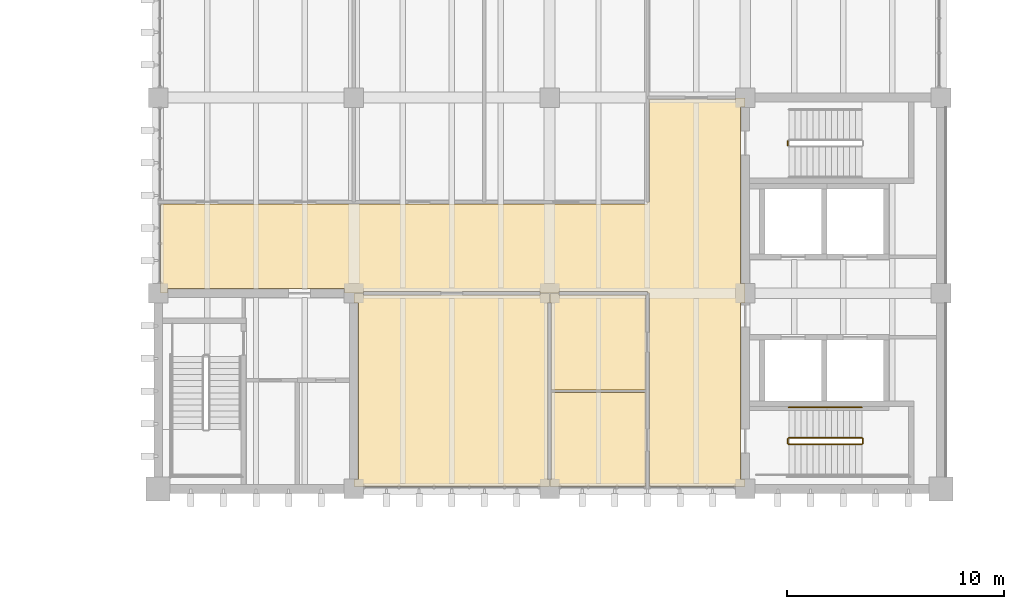
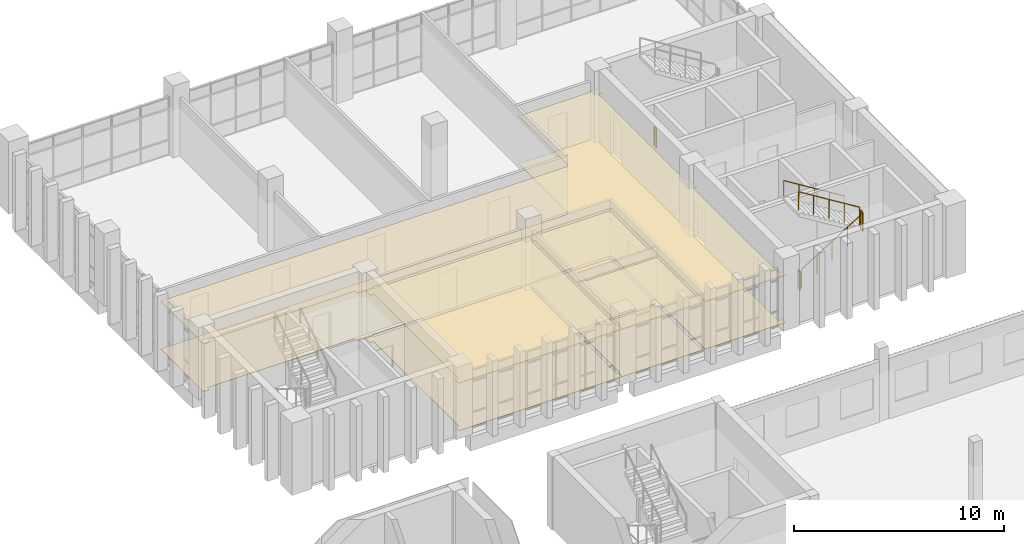
# One storey, part 89 of 92: 8 coverings, 6 railings.
"""IFC4 building model written with IfcOpenShell, lengths in metres."""

from ifc_helpers import new_model, si_unit, direction, frame, origin, origin_2d, place, context, subcontext, project, spatial, polyline, circle, outline, extrude, material, layer, layer_set, type_object, element, save


model = new_model("IFC4")

# Units and contexts
model_context = context("Model", 3, precision=1e-05, world=origin(), true_north=direction((0.0, 1.0)))
body_context = subcontext(model_context, "Body", "Model", "MODEL_VIEW")
ifc_project = project(units=[si_unit("LENGTHUNIT", "METRE"), si_unit("AREAUNIT", "SQUARE_METRE"), si_unit("VOLUMEUNIT", "CUBIC_METRE"), si_unit("PLANEANGLEUNIT", "RADIAN"), si_unit("MASSUNIT", "GRAM", prefix="KILO")], contexts=[model_context])

# Site, building, storey
site_placement = place(None, origin())
site = spatial("IfcSite", under=ifc_project, at=site_placement, CompositionType="ELEMENT")
building_placement = place(site_placement, origin())
building = spatial("IfcBuilding", under=site, at=building_placement, Name="Merrow Basin Faculty of Sciences", CompositionType="ELEMENT")
storey_placement = place(building_placement, frame((0.0, 0.0, 4.5)))
storey = spatial("IfcBuildingStorey", under=building, at=storey_placement, Name="L01", CompositionType="ELEMENT", Elevation=4.5)

# Coverings
ifc_material_1 = material(Name="Ceramic floor tile")
ifc_layer_1 = layer(ifc_material_1, 0.02001953125)
ifc_layer_set_1 = layer_set([ifc_layer_1], Name="Ceramic floor tile")
covering_type_1 = type_object("IfcCoveringType", Name="Ceramic floor tile", PredefinedType="FLOORING", material=ifc_layer_set_1)
covering_1_placement = place(storey_placement, origin())
element("IfcCovering", 1, at=covering_1_placement, inside=storey, type_object=covering_type_1, Name="Floor finish L01-T-012", PredefinedType="FLOORING", context=body_context, shape_type="SweptSolid", body=[
    extrude(outline(polyline([(36.010009765625, 142.110107421875), (36.010009765625, 142.43994140625), (36.0849609375, 142.43994140625), (36.0849609375, 146.43994140625), (40.4150390625, 146.43994140625), (40.4150390625, 142.110107421875), (36.010009765625, 142.110107421875)])), origin(), (0.0, 0.0, 1.0), 0.02001953125),
])
covering_2_placement = place(storey_placement, origin())
element("IfcCovering", 2, at=covering_2_placement, inside=storey, type_object=covering_type_1, Name="Floor finish L01-T-013", PredefinedType="FLOORING", context=body_context, shape_type="SweptSolid", body=[
    extrude(outline(polyline([(36.010009765625, 150.989990234375), (36.43994140625, 150.989990234375), (36.43994140625, 150.9150390625), (40.4150390625, 150.9150390625), (40.4150390625, 146.56005859375), (36.0849609375, 146.56005859375), (36.0849609375, 150.56005859375), (36.010009765625, 150.56005859375), (36.010009765625, 150.989990234375)])), origin(), (0.0, 0.0, 1.0), 0.02001953125),
])
ifc_material_2 = material(Name="Laboratory sheet vinyl floor")
ifc_layer_2 = layer(ifc_material_2, 0.02001953125)
ifc_layer_set_2 = layer_set([ifc_layer_2], Name="Laboratory sheet vinyl floor")
covering_type_2 = type_object("IfcCoveringType", Name="Laboratory sheet vinyl floor", PredefinedType="FLOORING", material=ifc_layer_set_2)
covering_3_placement = place(storey_placement, origin())
element("IfcCovering", 3, at=covering_3_placement, inside=storey, type_object=covering_type_2, Name="Floor finish L01-T-017", PredefinedType="FLOORING", context=body_context, shape_type="SweptSolid", body=[
    extrude(outline(polyline([(27.43994140625, 150.989990234375), (27.43994140625, 150.9150390625), (35.56005859375, 150.9150390625), (35.56005859375, 150.989990234375), (35.989990234375, 150.989990234375), (35.989990234375, 150.56005859375), (35.9150390625, 150.56005859375), (35.9150390625, 142.43994140625), (35.989990234375, 142.43994140625), (35.989990234375, 142.110107421875), (27.010009765625, 142.110107421875), (27.010009765625, 142.43994140625), (27.2099609375, 142.43994140625), (27.2099609375, 150.56005859375), (27.010009765625, 150.56005859375), (27.010009765625, 150.989990234375), (27.43994140625, 150.989990234375)])), origin(), (0.0, 0.0, 1.0), 0.02001953125),
])
ifc_material_3 = material(Name="Polished terrazzo floor")
ifc_layer_3 = layer(ifc_material_3, 0.02001953125)
ifc_layer_set_3 = layer_set([ifc_layer_3], Name="Polished terrazzo floor")
covering_type_3 = type_object("IfcCoveringType", Name="Polished terrazzo floor", PredefinedType="FLOORING", material=ifc_layer_set_3)
covering_4_placement = place(storey_placement, origin())
element("IfcCovering", 4, at=covering_4_placement, inside=storey, type_object=covering_type_3, Name="Floor finish L01-T-019", PredefinedType="FLOORING", context=body_context, shape_type="SweptSolid", body=[
    extrude(outline(polyline([(44.989990234375, 159.56005859375), (44.7900390625, 159.56005859375), (44.7900390625, 151.43994140625), (44.989990234375, 151.43994140625), (44.989990234375, 150.56005859375), (44.7900390625, 150.56005859375), (44.7900390625, 142.43994140625), (44.989990234375, 142.43994140625), (44.989990234375, 142.110107421875), (40.5849609375, 142.110107421875), (40.5849609375, 151.010009765625), (40.510009765625, 151.010009765625), (40.510009765625, 151.0849609375), (36.43994140625, 151.0849609375), (36.43994140625, 151.010009765625), (35.56005859375, 151.010009765625), (35.56005859375, 151.0849609375), (27.43994140625, 151.0849609375), (27.43994140625, 151.010009765625), (26.56005859375, 151.010009765625), (26.56005859375, 151.2099609375), (18.43994140625, 151.2099609375), (18.43994140625, 151.010009765625), (18.110107421875, 151.010009765625), (18.110107421875, 155.114990234375), (40.510009765625, 155.114990234375), (40.510009765625, 155.18994140625), (40.5849609375, 155.18994140625), (40.5849609375, 159.9150390625), (44.56005859375, 159.9150390625), (44.56005859375, 159.989990234375), (44.989990234375, 159.989990234375), (44.989990234375, 159.56005859375)])), origin(), (0.0, 0.0, 1.0), 0.02001953125),
])

# Railings
ifc_material_4 = material(Name="Steel ASTM A36", Category="steel")
railing_type_1 = type_object("IfcRailingType", Name="Steel guard 1100", PredefinedType="GUARDRAIL", material=ifc_material_4)
railing_1_placement = place(storey_placement, frame((46.949951171875, 157.800048828125, 0.0)))
element("IfcRailing", 5, at=railing_1_placement, inside=storey, type_object=railing_type_1, Name="L01 ST-V5-S stair guard 4", PredefinedType="GUARDRAIL", context=body_context, shape_type="SweptSolid", body=[
    extrude(circle(Radius=0.02392578125, at=origin_2d()), frame((0.0, 0.0, 1.076171875), z_axis=(0.0, 1.0, 0.0), x_axis=(-1.0, 0.0, 0.0)), (0.0, 0.0, 1.0), 0.199951171875),
    extrude(circle(Radius=0.02099609375, at=origin_2d()), origin(), (0.0, 0.0, 1.0), 1.052001953125),
    extrude(circle(Radius=0.02099609375, at=origin_2d()), frame((0.0, 0.199951171875, 0.0)), (0.0, 0.0, 1.0), 1.052001953125),
])
railing_2_placement = place(storey_placement, frame((47.0, 144.050048828125, 0.173095703125)))
element("IfcRailing", 6, at=railing_2_placement, inside=storey, type_object=railing_type_1, Name="L01 ST-V5-N stair guard 1", PredefinedType="GUARDRAIL", context=body_context, shape_type="SweptSolid", body=[
    extrude(circle(Radius=0.02392578125, at=origin_2d()), frame((0.0, 0.0, 1.076171875), z_axis=(0.850623216509, 0.0, 0.525775754039), x_axis=(0.0, 1.0, 0.0)), (0.0, 0.0, 1.0), 3.9501953125),
    extrude(circle(Radius=0.02099609375, at=origin_2d()), origin(), (0.0, 0.0, 1.0), 1.052001953125),
    extrude(circle(Radius=0.02099609375, at=origin_2d()), frame((0.840087890625, 0.0, 0.519287109375)), (0.0, 0.0, 1.0), 1.052001953125),
    extrude(circle(Radius=0.02099609375, at=origin_2d()), frame((1.68017578125, 0.0, 1.03857421875)), (0.0, 0.0, 1.0), 1.052001953125),
    extrude(circle(Radius=0.02099609375, at=origin_2d()), frame((2.52001953125, 0.0, 1.5576171875)), (0.0, 0.0, 1.0), 1.052001953125),
    extrude(circle(Radius=0.02099609375, at=origin_2d()), frame((3.360107421875, 0.0, 2.076904296875)), (0.0, 0.0, 1.0), 1.052001953125),
])
railing_3_placement = place(storey_placement, frame((50.409912109375, 144.10009765625, 2.25)))
element("IfcRailing", 7, at=railing_3_placement, inside=storey, type_object=railing_type_1, Name="L01 ST-V5-N stair guard 2", PredefinedType="GUARDRAIL", context=body_context, shape_type="SweptSolid", body=[
    extrude(circle(Radius=0.02392578125, at=origin_2d()), frame((0.0, 0.0, 1.076171875), z_axis=(0.0, 1.0, 0.0), x_axis=(-1.0, 0.0, 0.0)), (0.0, 0.0, 1.0), 0.199951171875),
    extrude(circle(Radius=0.02099609375, at=origin_2d()), origin(), (0.0, 0.0, 1.0), 1.052001953125),
    extrude(circle(Radius=0.02099609375, at=origin_2d()), frame((0.0, 0.199951171875, 0.0)), (0.0, 0.0, 1.0), 1.052001953125),
])
railing_4_placement = place(storey_placement, frame((50.360107421875, 144.35009765625, 2.423095703125)))
element("IfcRailing", 8, at=railing_4_placement, inside=storey, type_object=railing_type_1, Name="L01 ST-V5-N stair guard 4", PredefinedType="GUARDRAIL", context=body_context, shape_type="SweptSolid", body=[
    extrude(circle(Radius=0.02392578125, at=origin_2d()), frame((0.0, 0.0, 1.076171875), z_axis=(-0.850623216509, 0.0, 0.525775754039), x_axis=(0.0, -1.0, 0.0)), (0.0, 0.0, 1.0), 3.9501953125),
    extrude(circle(Radius=0.02099609375, at=origin_2d()), origin(), (0.0, 0.0, 1.0), 1.052001953125),
    extrude(circle(Radius=0.02099609375, at=origin_2d()), frame((-0.840087890625, 0.0, 0.519287109375)), (0.0, 0.0, 1.0), 1.052001953125),
    extrude(circle(Radius=0.02099609375, at=origin_2d()), frame((-1.68017578125, 0.0, 1.03857421875)), (0.0, 0.0, 1.0), 1.052001953125),
    extrude(circle(Radius=0.02099609375, at=origin_2d()), frame((-2.52001953125, 0.0, 1.5576171875)), (0.0, 0.0, 1.0), 1.052001953125),
    extrude(circle(Radius=0.02099609375, at=origin_2d()), frame((-3.360107421875, 0.0, 2.076904296875)), (0.0, 0.0, 1.0), 1.052001953125),
])
railing_5_placement = place(storey_placement, frame((46.949951171875, 144.10009765625, 0.0)))
element("IfcRailing", 9, at=railing_5_placement, inside=storey, type_object=railing_type_1, Name="L01 ST-V5-N stair guard 5", PredefinedType="GUARDRAIL", context=body_context, shape_type="SweptSolid", body=[
    extrude(circle(Radius=0.02392578125, at=origin_2d()), frame((0.0, 0.0, 1.076171875), z_axis=(0.0, 1.0, 0.0), x_axis=(-1.0, 0.0, 0.0)), (0.0, 0.0, 1.0), 0.199951171875),
    extrude(circle(Radius=0.02099609375, at=origin_2d()), origin(), (0.0, 0.0, 1.0), 1.052001953125),
    extrude(circle(Radius=0.02099609375, at=origin_2d()), frame((0.0, 0.199951171875, 0.0)), (0.0, 0.0, 1.0), 1.052001953125),
])
ifc_material_5 = material(Name="Steel ASTM A36", Category="steel")
railing_type_2 = type_object("IfcRailingType", Name="Steel handrail 900", PredefinedType="HANDRAIL", material=ifc_material_5)
railing_6_placement = place(storey_placement, frame((50.360107421875, 145.75, 2.423095703125)))
element("IfcRailing", 10, at=railing_6_placement, inside=storey, type_object=railing_type_2, Name="L01 ST-V5-N stair handrail 2", PredefinedType="HANDRAIL", context=body_context, shape_type="SweptSolid", body=[
    extrude(circle(Radius=0.02392578125, at=origin_2d()), frame((0.0, 0.0, 0.8759765625), z_axis=(-0.850623216509, 0.0, 0.525775754039), x_axis=(0.0, -1.0, 0.0)), (0.0, 0.0, 1.0), 3.9501953125),
    extrude(circle(Radius=0.02099609375, at=origin_2d()), origin(), (0.0, 0.0, 1.0), 0.851806640625),
    extrude(circle(Radius=0.02099609375, at=origin_2d()), frame((-0.840087890625, 0.0, 0.519287109375)), (0.0, 0.0, 1.0), 0.851806640625),
    extrude(circle(Radius=0.02099609375, at=origin_2d()), frame((-1.68017578125, 0.0, 1.03857421875)), (0.0, 0.0, 1.0), 0.851806640625),
    extrude(circle(Radius=0.02099609375, at=origin_2d()), frame((-2.52001953125, 0.0, 1.5576171875)), (0.0, 0.0, 1.0), 0.851806640625),
    extrude(circle(Radius=0.02099609375, at=origin_2d()), frame((-3.360107421875, 0.0, 2.076904296875)), (0.0, 0.0, 1.0), 0.851806640625),
])

# Coverings
ifc_material_6 = material(Name="Mineral fibre ceiling tile")
ifc_layer_4 = layer(ifc_material_6, 0.050048828125)
ifc_layer_set_4 = layer_set([ifc_layer_4], Name="Suspended acoustic ceiling tile")
covering_type_4 = type_object("IfcCoveringType", Name="Suspended acoustic ceiling tile", PredefinedType="CEILING", material=ifc_layer_set_4)
covering_5_placement = place(storey_placement, frame((0.0, 0.0, 2.75)))
element("IfcCovering", 11, at=covering_5_placement, inside=storey, type_object=covering_type_4, Name="Ceiling L01-T-012", PredefinedType="CEILING", context=body_context, shape_type="SweptSolid", body=[
    extrude(outline(polyline([(36.010009765625, 142.110107421875), (36.010009765625, 142.43994140625), (36.0849609375, 142.43994140625), (36.0849609375, 146.43994140625), (40.4150390625, 146.43994140625), (40.4150390625, 142.110107421875), (36.010009765625, 142.110107421875)])), origin(), (0.0, 0.0, 1.0), 0.050048828125),
])
covering_6_placement = place(storey_placement, frame((0.0, 0.0, 2.75)))
element("IfcCovering", 12, at=covering_6_placement, inside=storey, type_object=covering_type_4, Name="Ceiling L01-T-013", PredefinedType="CEILING", context=body_context, shape_type="SweptSolid", body=[
    extrude(outline(polyline([(36.010009765625, 150.989990234375), (36.43994140625, 150.989990234375), (36.43994140625, 150.9150390625), (40.4150390625, 150.9150390625), (40.4150390625, 146.56005859375), (36.0849609375, 146.56005859375), (36.0849609375, 150.56005859375), (36.010009765625, 150.56005859375), (36.010009765625, 150.989990234375)])), origin(), (0.0, 0.0, 1.0), 0.050048828125),
])
covering_7_placement = place(storey_placement, frame((0.0, 0.0, 2.75)))
element("IfcCovering", 13, at=covering_7_placement, inside=storey, type_object=covering_type_4, Name="Ceiling L01-T-017", PredefinedType="CEILING", context=body_context, shape_type="SweptSolid", body=[
    extrude(outline(polyline([(27.43994140625, 150.989990234375), (27.43994140625, 150.9150390625), (35.56005859375, 150.9150390625), (35.56005859375, 150.989990234375), (35.989990234375, 150.989990234375), (35.989990234375, 150.56005859375), (35.9150390625, 150.56005859375), (35.9150390625, 142.43994140625), (35.989990234375, 142.43994140625), (35.989990234375, 142.110107421875), (27.010009765625, 142.110107421875), (27.010009765625, 142.43994140625), (27.2099609375, 142.43994140625), (27.2099609375, 150.56005859375), (27.010009765625, 150.56005859375), (27.010009765625, 150.989990234375), (27.43994140625, 150.989990234375)])), origin(), (0.0, 0.0, 1.0), 0.050048828125),
])
covering_8_placement = place(storey_placement, frame((0.0, 0.0, 2.75)))
element("IfcCovering", 14, at=covering_8_placement, inside=storey, type_object=covering_type_4, Name="Ceiling L01-T-019", PredefinedType="CEILING", context=body_context, shape_type="SweptSolid", body=[
    extrude(outline(polyline([(44.989990234375, 159.56005859375), (44.7900390625, 159.56005859375), (44.7900390625, 151.43994140625), (44.989990234375, 151.43994140625), (44.989990234375, 150.56005859375), (44.7900390625, 150.56005859375), (44.7900390625, 142.43994140625), (44.989990234375, 142.43994140625), (44.989990234375, 142.110107421875), (40.5849609375, 142.110107421875), (40.5849609375, 151.010009765625), (40.510009765625, 151.010009765625), (40.510009765625, 151.0849609375), (36.43994140625, 151.0849609375), (36.43994140625, 151.010009765625), (35.56005859375, 151.010009765625), (35.56005859375, 151.0849609375), (27.43994140625, 151.0849609375), (27.43994140625, 151.010009765625), (26.56005859375, 151.010009765625), (26.56005859375, 151.2099609375), (18.43994140625, 151.2099609375), (18.43994140625, 151.010009765625), (18.110107421875, 151.010009765625), (18.110107421875, 155.114990234375), (40.510009765625, 155.114990234375), (40.510009765625, 155.18994140625), (40.5849609375, 155.18994140625), (40.5849609375, 159.9150390625), (44.56005859375, 159.9150390625), (44.56005859375, 159.989990234375), (44.989990234375, 159.989990234375), (44.989990234375, 159.56005859375)])), origin(), (0.0, 0.0, 1.0), 0.050048828125),
])

save(model, "model.ifc")
